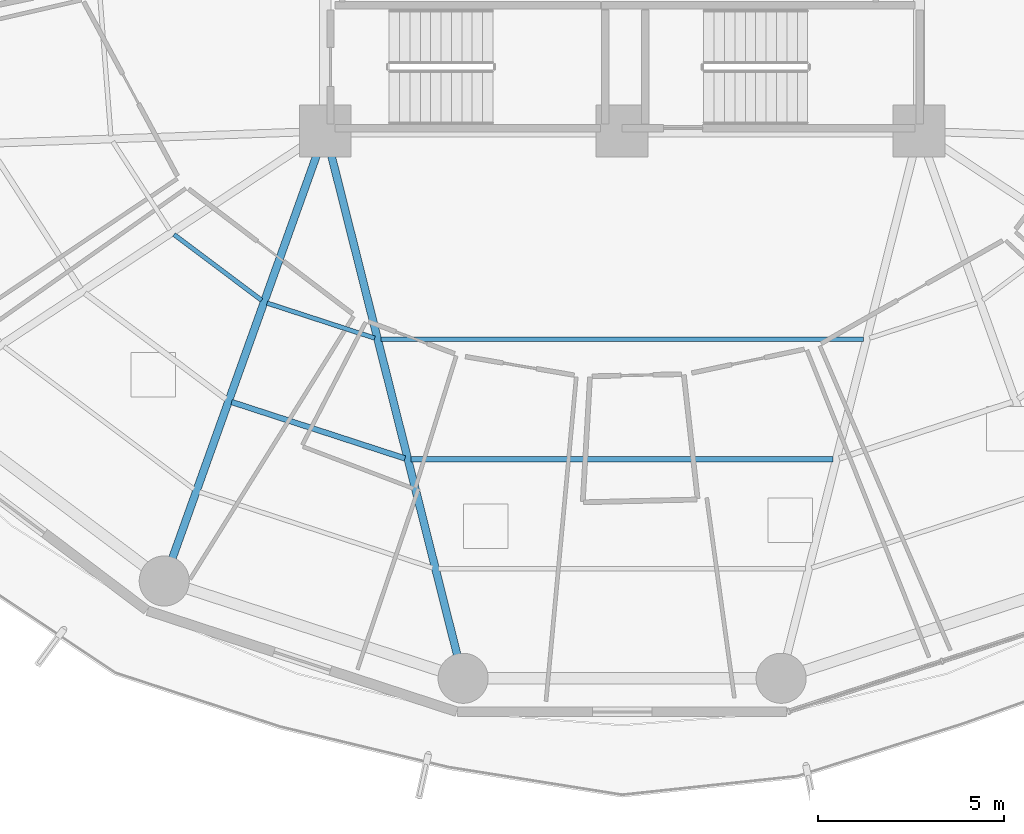
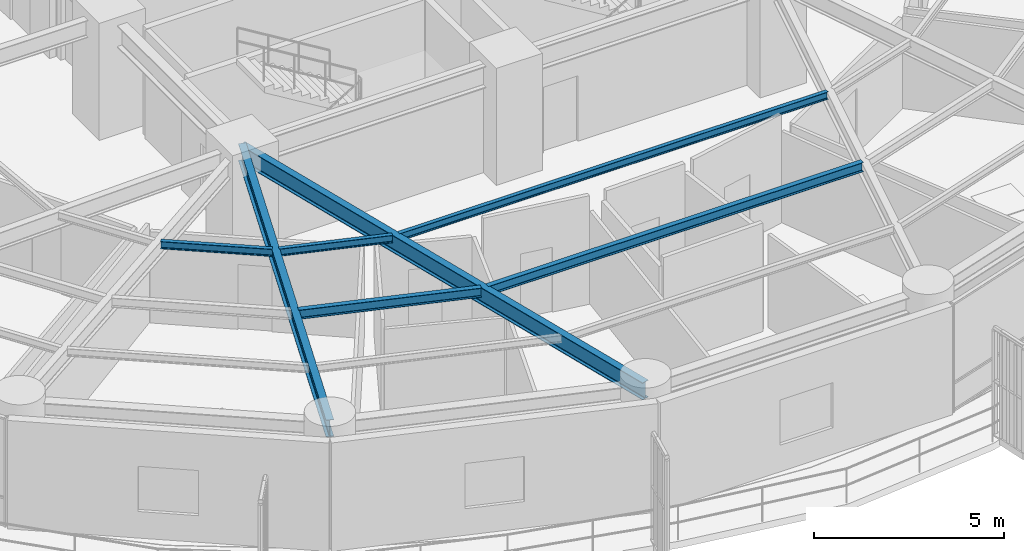
# One storey, part 5 of 35: 7 beams.
"""IFC4 building model written with IfcOpenShell, lengths in metres."""

from ifc_helpers import new_model, si_unit, direction, frame, origin, origin_2d, place, context, subcontext, project, spatial, i_section, extrude, material, material_profile, profile_set, type_object, element, save


model = new_model("IFC4")

# Units and contexts
model_context = context("Model", 3, precision=1e-05, world=origin(), true_north=direction((0.0, 1.0)))
body_context = subcontext(model_context, "Body", "Model", "MODEL_VIEW")
ifc_project = project(units=[si_unit("LENGTHUNIT", "METRE"), si_unit("AREAUNIT", "SQUARE_METRE"), si_unit("VOLUMEUNIT", "CUBIC_METRE"), si_unit("PLANEANGLEUNIT", "RADIAN"), si_unit("MASSUNIT", "GRAM", prefix="KILO")], contexts=[model_context])

# Site, building, storey
site_placement = place(None, origin())
site = spatial("IfcSite", under=ifc_project, at=site_placement, CompositionType="ELEMENT")
building_placement = place(site_placement, origin())
building = spatial("IfcBuilding", under=site, at=building_placement, Name="Kelanora Arch Commons", CompositionType="ELEMENT")
storey_placement = place(building_placement, frame((0.0, 0.0, 95.10009765625)))
storey = spatial("IfcBuildingStorey", under=building, at=storey_placement, Name="L24", CompositionType="ELEMENT", Elevation=95.10009765625)

# Beams
ifc_material = material(Name="Steel S355", Category="steel")
ifc_material_profile_1 = material_profile(ifc_material, i_section(OverallWidth=0.14990234375, OverallDepth=0.300048828125, WebThickness=0.007080078125, FlangeThickness=0.0107421875, FilletRadius=0.014892578125, at=origin_2d()), Name="IPE300")
ifc_profile_set_1 = profile_set([ifc_material_profile_1], Name="Steel S355")
beam_type_1 = type_object("IfcBeamType", Name="BM-JST-01", PredefinedType="JOIST", material=ifc_profile_set_1)
beam_1_placement = place(storey_placement, frame((63.476806640625, 43.70068359375, 3.33984375), z_axis=(0.950857140254, -0.309629938521, 0.0), x_axis=(0.309629938521, 0.950857140254, 0.0)))
element("IfcBeam", 1, at=beam_1_placement, inside=storey, type_object=beam_type_1, Name="Secondary Chord Joist BJB-24 L24", PredefinedType="JOIST", context=body_context, shape_type="SweptSolid", body=[
    extrude(i_section(OverallWidth=0.14990234375, OverallDepth=0.300048828125, WebThickness=0.007080078125, FlangeThickness=0.0107421875, FilletRadius=0.014892578125, at=origin_2d()), origin(), (0.0, 0.0, 1.0), 4.912353515625),
])
beam_2_placement = place(storey_placement, frame((68.313720703125, 42.1533203125, 3.33984375), z_axis=(1.0, 0.0, 0.0), x_axis=(0.0, 1.0, 0.0)))
element("IfcBeam", 2, at=beam_2_placement, inside=storey, type_object=beam_type_1, Name="Secondary Chord Joist BJB-26 L24", PredefinedType="JOIST", context=body_context, shape_type="SweptSolid", body=[
    extrude(i_section(OverallWidth=0.14990234375, OverallDepth=0.300048828125, WebThickness=0.007080078125, FlangeThickness=0.0107421875, FilletRadius=0.014892578125, at=origin_2d()), origin(), (0.0, 0.0, 1.0), 11.37255859375),
])
ifc_material_profile_2 = material_profile(ifc_material, i_section(OverallWidth=0.1201171875, OverallDepth=0.239990234375, WebThickness=0.006103515625, FlangeThickness=0.009765625, FilletRadius=0.014892578125, at=origin_2d()), Name="IPE240")
ifc_profile_set_2 = profile_set([ifc_material_profile_2], Name="Steel S355")
beam_type_2 = type_object("IfcBeamType", Name="BM-JST-02", PredefinedType="JOIST", material=ifc_profile_set_2)
beam_3_placement = place(storey_placement, frame((61.923583984375, 48.2158203125, 3.369873046875), z_axis=(0.799692034361, -0.600410401458, 0.0), x_axis=(0.600410401458, 0.799692034361, 0.0)))
element("IfcBeam", 3, at=beam_3_placement, inside=storey, type_object=beam_type_2, Name="Secondary Chord Joist BJA-22 L24", PredefinedType="JOIST", context=body_context, shape_type="SweptSolid", body=[
    extrude(i_section(OverallWidth=0.1201171875, OverallDepth=0.239990234375, WebThickness=0.006103515625, FlangeThickness=0.009765625, FilletRadius=0.014892578125, at=origin_2d()), origin(), (0.0, 0.0, 1.0), 2.949951171875),
])
beam_4_placement = place(storey_placement, frame((64.431640625, 46.367431640625, 3.369873046875), z_axis=(0.950846758946, -0.309661817151, 0.0), x_axis=(0.309661817151, 0.950846758946, 0.0)))
element("IfcBeam", 4, at=beam_4_placement, inside=storey, type_object=beam_type_2, Name="Secondary Chord Joist BJA-24 L24", PredefinedType="JOIST", context=body_context, shape_type="SweptSolid", body=[
    extrude(i_section(OverallWidth=0.1201171875, OverallDepth=0.239990234375, WebThickness=0.006103515625, FlangeThickness=0.009765625, FilletRadius=0.014892578125, at=origin_2d()), origin(), (0.0, 0.0, 1.0), 3.048828125),
])
beam_5_placement = place(storey_placement, frame((67.49658203125, 45.397216796875, 3.369873046875), z_axis=(1.0, 0.0, 0.0), x_axis=(0.0, 1.0, 0.0)))
element("IfcBeam", 5, at=beam_5_placement, inside=storey, type_object=beam_type_2, Name="Secondary Chord Joist BJA-26 L24", PredefinedType="JOIST", context=body_context, shape_type="SweptSolid", body=[
    extrude(i_section(OverallWidth=0.1201171875, OverallDepth=0.239990234375, WebThickness=0.006103515625, FlangeThickness=0.009765625, FilletRadius=0.014892578125, at=origin_2d()), origin(), (0.0, 0.0, 1.0), 13.0068359375),
])
ifc_material_profile_3 = material_profile(ifc_material, i_section(OverallWidth=0.2099609375, OverallDepth=0.550048828125, WebThickness=0.010986328125, FlangeThickness=0.01708984375, FilletRadius=0.02392578125, at=origin_2d()), Name="IPE550")
ifc_profile_set_3 = profile_set([ifc_material_profile_3], Name="Steel S355")
beam_type_3 = type_object("IfcBeamType", Name="BM-RAD-Z2", PredefinedType="BEAM", material=ifc_profile_set_3)
beam_6_placement = place(storey_placement, frame((66.0, 51.0, 3.21484375), z_axis=(-0.337084640008, -0.941474346687, 0.0), x_axis=(0.941474346687, -0.337084640008, 0.0)))
element("IfcBeam", 6, at=beam_6_placement, inside=storey, type_object=beam_type_3, Name="Radial Floor Girder BR-24 L24", PredefinedType="BEAM", context=body_context, shape_type="SweptSolid", body=[
    extrude(i_section(OverallWidth=0.2099609375, OverallDepth=0.550048828125, WebThickness=0.010986328125, FlangeThickness=0.01708984375, FilletRadius=0.02392578125, at=origin_2d()), origin(), (0.0, 0.0, 1.0), 12.875244140625),
])
beam_7_placement = place(storey_placement, frame((66.0, 51.0, 3.21484375), z_axis=(0.244280647475, -0.969704576286, 0.0), x_axis=(0.969704576286, 0.244280647475, 0.0)))
element("IfcBeam", 7, at=beam_7_placement, inside=storey, type_object=beam_type_3, Name="Radial Floor Girder BR-26 L24", PredefinedType="BEAM", context=body_context, shape_type="SweptSolid", body=[
    extrude(i_section(OverallWidth=0.2099609375, OverallDepth=0.550048828125, WebThickness=0.010986328125, FlangeThickness=0.01708984375, FilletRadius=0.02392578125, at=origin_2d()), origin(), (0.0, 0.0, 1.0), 15.205322265625),
])

save(model, "model.ifc")
